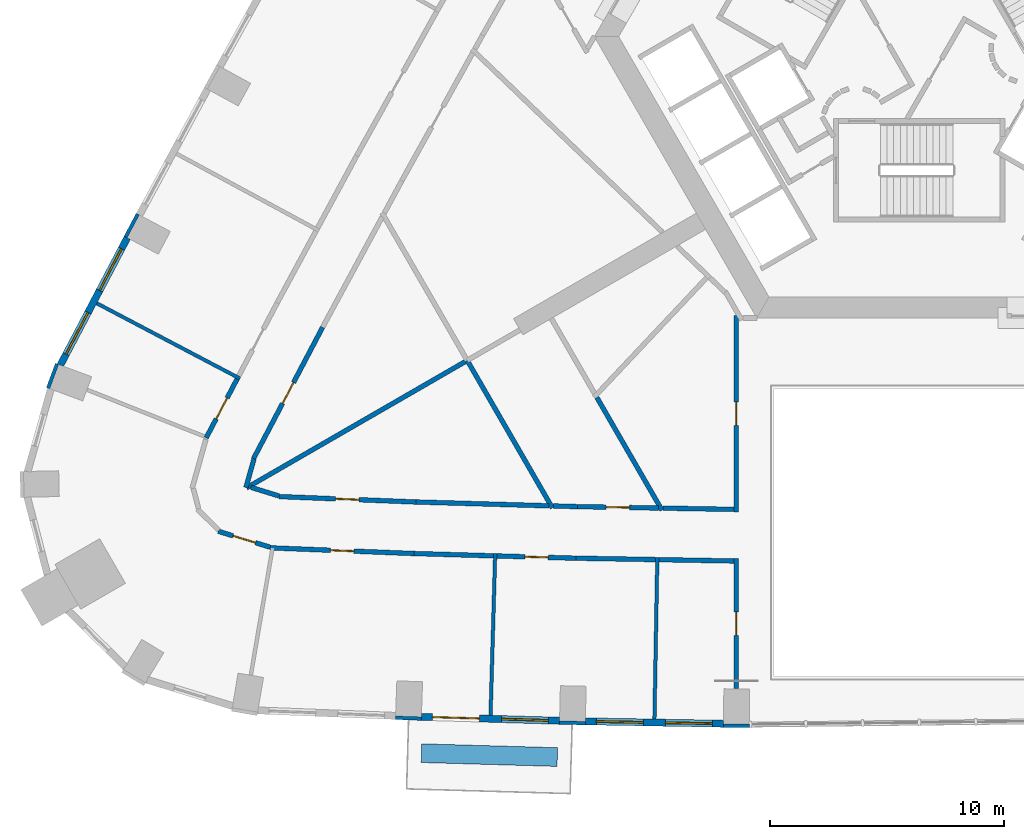
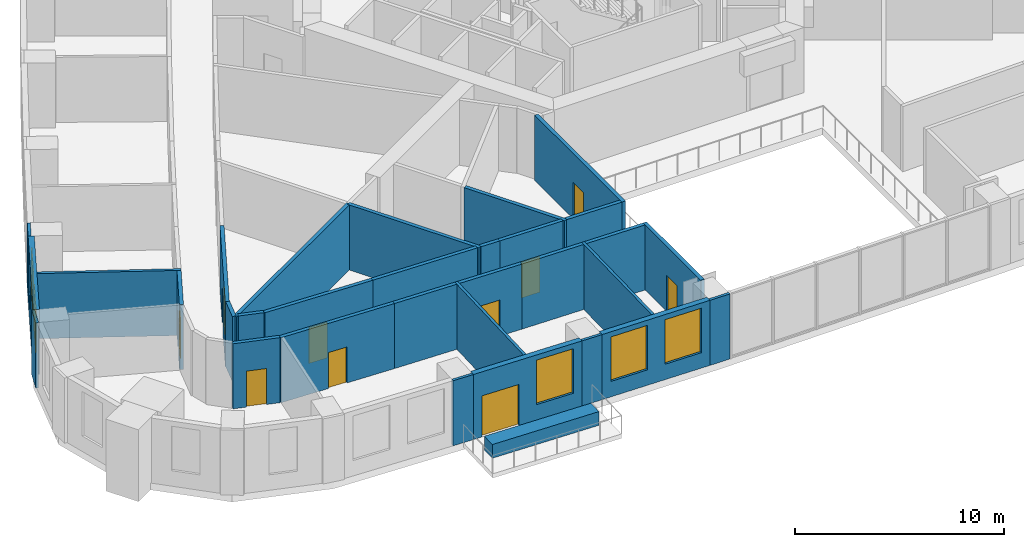
# One storey, part 4 of 14: 32 walls, 10 doors, 5 windows, 15 openings.
"""IFC4 building model written with IfcOpenShell, lengths in metres."""

from ifc_helpers import new_model, si_unit, direction, frame, frame_2d, origin, place, context, subcontext, project, spatial, rectangle, extrude, material, layer, layer_set, type_object, element, fill, save


model = new_model("IFC4")

# Units and contexts
model_context = context("Model", 3, precision=1e-05, world=origin(), true_north=direction((0.0, 1.0)))
body_context = subcontext(model_context, "Body", "Model", "MODEL_VIEW")
ifc_project = project(units=[si_unit("LENGTHUNIT", "METRE"), si_unit("AREAUNIT", "SQUARE_METRE"), si_unit("VOLUMEUNIT", "CUBIC_METRE"), si_unit("PLANEANGLEUNIT", "RADIAN"), si_unit("MASSUNIT", "GRAM", prefix="KILO")], contexts=[model_context])

# Site, building, storey
site_placement = place(None, origin())
site = spatial("IfcSite", under=ifc_project, at=site_placement, CompositionType="ELEMENT")
building_placement = place(site_placement, origin())
building = spatial("IfcBuilding", under=site, at=building_placement, Name="Entoto Arch Interchange Tower", CompositionType="ELEMENT")
storey_placement = place(building_placement, frame((0.0, 0.0, 103.39990234375)))
storey = spatial("IfcBuildingStorey", under=building, at=storey_placement, Name="L22", CompositionType="ELEMENT", Elevation=103.39990234375)

# Walls
ifc_material_1 = material(Name="Gypsum board partition on steel studs", Category="steel")
ifc_layer_1 = layer(ifc_material_1, 0.14990234375)
ifc_layer_set_1 = layer_set([ifc_layer_1], Name="Gypsum board partition on steel studs")
wall_type_1 = type_object("IfcWallType", Name="PARTITION 150", PredefinedType="PARTITIONING", material=ifc_layer_set_1)
wall_1_placement = place(storey_placement, frame((-28.968994140625, -12.083984375, 0.0), z_axis=(0.0, 0.0, 1.0), x_axis=(-0.885142220222, 0.465320588391, 0.0)))
element("IfcWall", 1, at=wall_1_placement, inside=storey, type_object=wall_type_1, Name="wall:L22:p151", PredefinedType="PARTITIONING", context=body_context, shape_type="SweptSolid", body=[
    extrude(rectangle(XDim=6.900390625, YDim=0.14990234375, at=frame_2d((3.4501953125, 0.0))), origin(), (0.0, 0.0, 1.0), 3.800048828125),
])
wall_2_placement = place(storey_placement, frame((-18.0849609375, -19.544921875, 0.0), z_axis=(0.0, 0.0, 1.0), x_axis=(-0.02869106823, -0.999588326564, 0.0)))
element("IfcWall", 2, at=wall_2_placement, inside=storey, type_object=wall_type_1, Name="wall:L22:p154", PredefinedType="PARTITIONING", context=body_context, shape_type="SweptSolid", body=[
    extrude(rectangle(XDim=6.901123046875, YDim=0.14990234375, at=frame_2d((3.45068359375, 0.0))), origin(), (0.0, 0.0, 1.0), 3.800048828125),
])
wall_3_placement = place(storey_placement, frame((-11.1708984375, -19.7060546875, 0.0), z_axis=(0.0, 0.0, 1.0), x_axis=(-0.017691335128, -0.999843496084, 0.0)))
element("IfcWall", 3, at=wall_3_placement, inside=storey, type_object=wall_type_1, Name="wall:L22:p155", PredefinedType="PARTITIONING", context=body_context, shape_type="SweptSolid", body=[
    extrude(rectangle(XDim=6.89990234375, YDim=0.14990234375, at=frame_2d((3.449951171875, 0.0))), origin(), (0.0, 0.0, 1.0), 3.800048828125),
])
ifc_layer_2 = layer(ifc_material_1, 0.199951171875)
ifc_layer_set_2 = layer_set([ifc_layer_2], Name="Gypsum board partition on steel studs")
wall_type_2 = type_object("IfcWallType", Name="PARTITION 200", PredefinedType="PARTITIONING", material=ifc_layer_set_2)
wall_4_placement = place(storey_placement, frame((-10.923095703125, -17.610107421875, 0.0), z_axis=(0.0, 0.0, 1.0), x_axis=(0.999846489632, -0.017521334753, 0.0)))
element("IfcWall", 4, at=wall_4_placement, inside=storey, type_object=wall_type_2, Name="wall:L22:p032", PredefinedType="PARTITIONING", context=body_context, shape_type="SweptSolid", body=[
    extrude(rectangle(XDim=3.023681640625, YDim=0.199951171875, at=frame_2d((1.51171875, 0.0))), origin(), (0.0, 0.0, 1.0), 3.800048828125),
])
wall_5_placement = place(storey_placement, frame((-15.595947265625, -17.51611328125, 0.0), z_axis=(0.0, 0.0, 1.0), x_axis=(0.99959813819, -0.028347171427, 0.0)))
element("IfcWall", 5, at=wall_5_placement, inside=storey, type_object=wall_type_2, Name="wall:L22:p035", PredefinedType="PARTITIONING", context=body_context, shape_type="SweptSolid", body=[
    extrude(rectangle(XDim=1.016357421875, YDim=0.199951171875, at=frame_2d((0.50830078125, 0.0))), origin(), (0.0, 0.0, 1.0), 3.800048828125),
])

# Wall, opening, door
wall_6_placement = place(storey_placement, frame((-14.580078125, -17.544921875, 0.0), z_axis=(0.0, 0.0, 1.0), x_axis=(0.999844180431, -0.01765261618, 0.0)))
wall_6 = element("IfcWall", 6, at=wall_6_placement, inside=storey, type_object=wall_type_2, Name="wall:L22:p036", PredefinedType="PARTITIONING", context=body_context, shape_type="SweptSolid", body=[
    extrude(rectangle(XDim=3.45751953125, YDim=0.199951171875, at=frame_2d((1.728759765625, 0.0))), origin(), (0.0, 0.0, 1.0), 3.800048828125),
])
opening_1_placement = place(wall_6_placement, frame((1.22900390625, 0.0, 0.0)))
opening_1 = element("IfcOpeningElement", 7, at=opening_1_placement, cuts=wall_6, Name="Opening L22-D29", PredefinedType="OPENING", context=body_context, shape_type="SweptSolid", body=[
    extrude(rectangle(XDim=1.0, YDim=2.10009765625, at=frame_2d((0.5, 1.050048828125))), frame((0.0, 0.10986328125, 0.0), z_axis=(0.0, -1.0, 0.0), x_axis=(1.0, 0.0, 0.0)), (0.0, 0.0, 1.0), 0.219970703125),
])
ifc_material_2 = material(Name="Timber door leaf in Steel S235 frame", Category="steel")
door_type_1 = type_object("IfcDoorType", Name="DOOR DS-10 1000x2100", OperationType="SINGLE_SWING_LEFT", PredefinedType="DOOR", material=ifc_material_2)
door_1_placement = place(opening_1_placement, origin())
door_1 = element("IfcDoor", 8, at=door_1_placement, inside=storey, type_object=door_type_1, Name="door:L22:29", OperationType="SINGLE_SWING_LEFT", OverallHeight=2.10009765625, OverallWidth=1.0, PredefinedType="DOOR", context=body_context, shape_type="SweptSolid", body=[
    extrude(rectangle(XDim=1.0, YDim=2.10009765625, at=frame_2d((0.5, 1.050048828125))), frame((0.0, 0.02490234375, 0.0), z_axis=(0.0, -1.0, 0.0), x_axis=(1.0, 0.0, 0.0)), (0.0, 0.0, 1.0), 0.050048828125),
])
fill(opening_1, door_1)

wall_7_placement = place(storey_placement, frame((-25.446044921875, -9.89599609375, 0.0), z_axis=(0.0, 0.0, 1.0), x_axis=(-0.465367816287, -0.885117390838, 0.0)))
wall_7 = element("IfcWall", 9, at=wall_7_placement, inside=storey, type_object=wall_type_2, Name="wall:L22:p038", PredefinedType="PARTITIONING", context=body_context, shape_type="SweptSolid", body=[
    extrude(rectangle(XDim=6.325927734375, YDim=0.199951171875, at=frame_2d((3.1630859375, 0.0))), origin(), (0.0, 0.0, 1.0), 3.800048828125),
])
opening_2_placement = place(wall_7_placement, frame((2.6630859375, 0.0, 0.0)))
opening_2 = element("IfcOpeningElement", 10, at=opening_2_placement, cuts=wall_7, Name="Opening L22-D30", PredefinedType="OPENING", context=body_context, shape_type="SweptSolid", body=[
    extrude(rectangle(XDim=1.0, YDim=2.10009765625, at=frame_2d((0.5, 1.050048828125))), frame((0.0, 0.10986328125, 0.0), z_axis=(0.0, -1.0, 0.0), x_axis=(1.0, 0.0, 0.0)), (0.0, 0.0, 1.0), 0.219970703125),
])
door_2_placement = place(opening_2_placement, origin())
door_2 = element("IfcDoor", 11, at=door_2_placement, inside=storey, type_object=door_type_1, Name="door:L22:30", OperationType="SINGLE_SWING_LEFT", OverallHeight=2.10009765625, OverallWidth=1.0, PredefinedType="DOOR", context=body_context, shape_type="SweptSolid", body=[
    extrude(rectangle(XDim=1.0, YDim=2.10009765625, at=frame_2d((0.5, 1.050048828125))), frame((0.0, 0.02490234375, 0.0), z_axis=(0.0, -1.0, 0.0), x_axis=(1.0, 0.0, 0.0)), (0.0, 0.0, 1.0), 0.050048828125),
])
fill(opening_2, door_2)

# Walls
wall_8_placement = place(storey_placement, frame((-28.3701171875, -15.5029296875, 0.0), z_axis=(0.0, 0.0, 1.0), x_axis=(-0.270645732093, -0.962679015924, 0.0)))
element("IfcWall", 12, at=wall_8_placement, inside=storey, type_object=wall_type_2, Name="wall:L22:p039", PredefinedType="PARTITIONING", context=body_context, shape_type="SweptSolid", body=[
    extrude(rectangle(XDim=1.274658203125, YDim=0.199951171875, at=frame_2d((0.63720703125, 0.0))), origin(), (0.0, 0.0, 1.0), 3.800048828125),
])
wall_9_placement = place(storey_placement, frame((-28.5029296875, -16.721923828125, 0.0), z_axis=(0.0, 0.0, 1.0), x_axis=(0.95579582576, -0.294031187904, 0.0)))
element("IfcWall", 13, at=wall_9_placement, inside=storey, type_object=wall_type_2, Name="wall:L22:p040", PredefinedType="PARTITIONING", context=body_context, shape_type="SweptSolid", body=[
    extrude(rectangle(XDim=1.25537109375, YDim=0.199951171875, at=frame_2d((0.627685546875, 0.0))), origin(), (0.0, 0.0, 1.0), 3.800048828125),
])

# Wall, opening, door
wall_10_placement = place(storey_placement, frame((-27.306884765625, -17.115966796875, 0.0), z_axis=(0.0, 0.0, 1.0), x_axis=(0.999217829656, -0.039544012168, 0.0)))
wall_10 = element("IfcWall", 14, at=wall_10_placement, inside=storey, type_object=wall_type_2, Name="wall:L22:p041", PredefinedType="PARTITIONING", context=body_context, shape_type="SweptSolid", body=[
    extrude(rectangle(XDim=5.840576171875, YDim=0.199951171875, at=frame_2d((2.92041015625, 0.0))), origin(), (0.0, 0.0, 1.0), 3.800048828125),
])
opening_3_placement = place(wall_10_placement, frame((2.419921875, 0.0, 0.0)))
opening_3 = element("IfcOpeningElement", 15, at=opening_3_placement, cuts=wall_10, Name="Opening L22-D31", PredefinedType="OPENING", context=body_context, shape_type="SweptSolid", body=[
    extrude(rectangle(XDim=1.0, YDim=2.10009765625, at=frame_2d((0.5, 1.050048828125))), frame((0.0, 0.10986328125, 0.0), z_axis=(0.0, -1.0, 0.0), x_axis=(1.0, 0.0, 0.0)), (0.0, 0.0, 1.0), 0.219970703125),
])
door_3_placement = place(opening_3_placement, origin())
door_3 = element("IfcDoor", 16, at=door_3_placement, inside=storey, type_object=door_type_1, Name="door:L22:31", OperationType="SINGLE_SWING_LEFT", OverallHeight=2.10009765625, OverallWidth=1.0, PredefinedType="DOOR", context=body_context, shape_type="SweptSolid", body=[
    extrude(rectangle(XDim=1.0, YDim=2.10009765625, at=frame_2d((0.5, 1.050048828125))), frame((0.0, 0.02490234375, 0.0), z_axis=(0.0, -1.0, 0.0), x_axis=(1.0, 0.0, 0.0)), (0.0, 0.0, 1.0), 0.050048828125),
])
fill(opening_3, door_3)

# Wall
wall_11_placement = place(storey_placement, frame((-21.470947265625, -17.346923828125, 0.0), z_axis=(0.0, 0.0, 1.0), x_axis=(0.999587337564, -0.028725504044, 0.0)))
element("IfcWall", 17, at=wall_11_placement, inside=storey, type_object=wall_type_2, Name="wall:L22:p042", PredefinedType="PARTITIONING", context=body_context, shape_type="SweptSolid", body=[
    extrude(rectangle(XDim=5.677490234375, YDim=0.199951171875, at=frame_2d((2.8388671875, 0.0))), origin(), (0.0, 0.0, 1.0), 3.800048828125),
])

# Wall, opening, door
wall_12_placement = place(storey_placement, frame((-30.409912109375, -14.610107421875, 0.0), z_axis=(0.0, 0.0, 1.0), x_axis=(0.46516343569, 0.885224817827, 0.0)))
wall_12 = element("IfcWall", 18, at=wall_12_placement, inside=storey, type_object=wall_type_2, Name="wall:L22:p074", PredefinedType="PARTITIONING", context=body_context, shape_type="SweptSolid", body=[
    extrude(rectangle(XDim=2.8310546875, YDim=0.199951171875, at=frame_2d((1.41552734375, 0.0))), origin(), (0.0, 0.0, 1.0), 3.800048828125),
])
opening_4_placement = place(wall_12_placement, frame((0.916015625, 0.0, 0.0)))
opening_4 = element("IfcOpeningElement", 19, at=opening_4_placement, cuts=wall_12, Name="Opening L22-D16", PredefinedType="OPENING", context=body_context, shape_type="SweptSolid", body=[
    extrude(rectangle(XDim=1.0, YDim=2.10009765625, at=frame_2d((0.5, 1.050048828125))), frame((0.0, 0.10986328125, 0.0), z_axis=(0.0, -1.0, 0.0), x_axis=(1.0, 0.0, 0.0)), (0.0, 0.0, 1.0), 0.219970703125),
])
door_4_placement = place(opening_4_placement, origin())
door_4 = element("IfcDoor", 20, at=door_4_placement, inside=storey, type_object=door_type_1, Name="door:L22:16", OperationType="SINGLE_SWING_LEFT", OverallHeight=2.10009765625, OverallWidth=1.0, PredefinedType="DOOR", context=body_context, shape_type="SweptSolid", body=[
    extrude(rectangle(XDim=1.0, YDim=2.10009765625, at=frame_2d((0.5, 1.050048828125))), frame((0.0, 0.02490234375, 0.0), z_axis=(0.0, -1.0, 0.0), x_axis=(1.0, 0.0, 0.0)), (0.0, 0.0, 1.0), 0.050048828125),
])
fill(opening_4, door_4)

wall_13_placement = place(storey_placement, frame((-27.676025390625, -19.278076171875, 0.0), z_axis=(0.0, 0.0, 1.0), x_axis=(-0.95581080774, 0.293982482143, 0.0)))
wall_13 = element("IfcWall", 21, at=wall_13_placement, inside=storey, type_object=wall_type_2, Name="wall:L22:p075", PredefinedType="PARTITIONING", context=body_context, shape_type="SweptSolid", body=[
    extrude(rectangle(XDim=2.32373046875, YDim=0.199951171875, at=frame_2d((1.161865234375, 0.0))), origin(), (0.0, 0.0, 1.0), 3.800048828125),
])
opening_5_placement = place(wall_13_placement, frame((0.662109375, 0.0, 0.0)))
opening_5 = element("IfcOpeningElement", 22, at=opening_5_placement, cuts=wall_13, Name="Opening L22-D17", PredefinedType="OPENING", context=body_context, shape_type="SweptSolid", body=[
    extrude(rectangle(XDim=1.0, YDim=2.10009765625, at=frame_2d((0.5, 1.050048828125))), frame((0.0, 0.10986328125, 0.0), z_axis=(0.0, -1.0, 0.0), x_axis=(1.0, 0.0, 0.0)), (0.0, 0.0, 1.0), 0.219970703125),
])
door_5_placement = place(opening_5_placement, origin())
door_5 = element("IfcDoor", 23, at=door_5_placement, inside=storey, type_object=door_type_1, Name="door:L22:17", OperationType="SINGLE_SWING_LEFT", OverallHeight=2.10009765625, OverallWidth=1.0, PredefinedType="DOOR", context=body_context, shape_type="SweptSolid", body=[
    extrude(rectangle(XDim=1.0, YDim=2.10009765625, at=frame_2d((0.5, 1.050048828125))), frame((0.0, 0.02490234375, 0.0), z_axis=(0.0, -1.0, 0.0), x_axis=(1.0, 0.0, 0.0)), (0.0, 0.0, 1.0), 0.050048828125),
])
fill(opening_5, door_5)

# Wall
wall_14_placement = place(storey_placement, frame((-18.1630859375, -19.64306640625, 0.0), z_axis=(0.0, 0.0, 1.0), x_axis=(-0.999588017684, 0.028701827504, 0.0)))
element("IfcWall", 24, at=wall_14_placement, inside=storey, type_object=wall_type_2, Name="wall:L22:p079", PredefinedType="PARTITIONING", context=body_context, shape_type="SweptSolid", body=[
    extrude(rectangle(XDim=3.385498046875, YDim=0.199951171875, at=frame_2d((1.69287109375, 0.0))), origin(), (0.0, 0.0, 1.0), 3.800048828125),
])

# Wall, opening, door
wall_15_placement = place(storey_placement, frame((-21.547119140625, -19.5458984375, 0.0), z_axis=(0.0, 0.0, 1.0), x_axis=(-0.999216450883, 0.039578836331, 0.0)))
wall_15 = element("IfcWall", 25, at=wall_15_placement, inside=storey, type_object=wall_type_2, Name="wall:L22:p080", PredefinedType="PARTITIONING", context=body_context, shape_type="SweptSolid", body=[
    extrude(rectangle(XDim=6.1376953125, YDim=0.199951171875, at=frame_2d((3.06884765625, 0.0))), origin(), (0.0, 0.0, 1.0), 3.800048828125),
])
opening_6_placement = place(wall_15_placement, frame((2.569091796875, 0.0, 0.0)))
opening_6 = element("IfcOpeningElement", 26, at=opening_6_placement, cuts=wall_15, Name="Opening L22-D18", PredefinedType="OPENING", context=body_context, shape_type="SweptSolid", body=[
    extrude(rectangle(XDim=1.0, YDim=2.10009765625, at=frame_2d((0.5, 1.050048828125))), frame((0.0, 0.10986328125, 0.0), z_axis=(0.0, -1.0, 0.0), x_axis=(1.0, 0.0, 0.0)), (0.0, 0.0, 1.0), 0.219970703125),
])
door_6_placement = place(opening_6_placement, origin())
door_6 = element("IfcDoor", 27, at=door_6_placement, inside=storey, type_object=door_type_1, Name="door:L22:18", OperationType="SINGLE_SWING_LEFT", OverallHeight=2.10009765625, OverallWidth=1.0, PredefinedType="DOOR", context=body_context, shape_type="SweptSolid", body=[
    extrude(rectangle(XDim=1.0, YDim=2.10009765625, at=frame_2d((0.5, 1.050048828125))), frame((0.0, 0.02490234375, 0.0), z_axis=(0.0, -1.0, 0.0), x_axis=(1.0, 0.0, 0.0)), (0.0, 0.0, 1.0), 0.050048828125),
])
fill(opening_6, door_6)

# Wall
wall_16_placement = place(storey_placement, frame((-11.248046875, -19.803955078125, 0.0), z_axis=(0.0, 0.0, 1.0), x_axis=(-0.999848794654, 0.017389302123, 0.0)))
element("IfcWall", 28, at=wall_16_placement, inside=storey, type_object=wall_type_2, Name="wall:L22:p081", PredefinedType="PARTITIONING", context=body_context, shape_type="SweptSolid", body=[
    extrude(rectangle(XDim=3.383544921875, YDim=0.199951171875, at=frame_2d((1.69189453125, 0.0))), origin(), (0.0, 0.0, 1.0), 3.800048828125),
])

# Wall, opening, door
wall_17_placement = place(storey_placement, frame((-14.631103515625, -19.7451171875, 0.0), z_axis=(0.0, 0.0, 1.0), x_axis=(-0.999587482491, 0.028720460441, 0.0)))
wall_17 = element("IfcWall", 29, at=wall_17_placement, inside=storey, type_object=wall_type_2, Name="wall:L22:p082", PredefinedType="PARTITIONING", context=body_context, shape_type="SweptSolid", body=[
    extrude(rectangle(XDim=3.38330078125, YDim=0.199951171875, at=frame_2d((1.691650390625, 0.0))), origin(), (0.0, 0.0, 1.0), 3.800048828125),
])
opening_7_placement = place(wall_17_placement, frame((1.19189453125, 0.0, 0.0)))
opening_7 = element("IfcOpeningElement", 30, at=opening_7_placement, cuts=wall_17, Name="Opening L22-D19", PredefinedType="OPENING", context=body_context, shape_type="SweptSolid", body=[
    extrude(rectangle(XDim=1.0, YDim=2.10009765625, at=frame_2d((0.5, 1.050048828125))), frame((0.0, 0.10986328125, 0.0), z_axis=(0.0, -1.0, 0.0), x_axis=(1.0, 0.0, 0.0)), (0.0, 0.0, 1.0), 0.219970703125),
])
door_7_placement = place(opening_7_placement, origin())
door_7 = element("IfcDoor", 31, at=door_7_placement, inside=storey, type_object=door_type_1, Name="door:L22:19", OperationType="SINGLE_SWING_RIGHT", OverallHeight=2.10009765625, OverallWidth=1.0, PredefinedType="DOOR", context=body_context, shape_type="SweptSolid", body=[
    extrude(rectangle(XDim=1.0, YDim=2.10009765625, at=frame_2d((0.5, 1.050048828125))), frame((0.0, 0.02490234375, 0.0), z_axis=(0.0, -1.0, 0.0), x_axis=(1.0, 0.0, 0.0)), (0.0, 0.0, 1.0), 0.050048828125),
])
fill(opening_7, door_7)

# Wall
wall_18_placement = place(storey_placement, frame((-7.89990234375, -19.863037109375, 0.0), z_axis=(0.0, 0.0, 1.0), x_axis=(-0.999845883554, 0.017555886191, 0.0)))
element("IfcWall", 32, at=wall_18_placement, inside=storey, type_object=wall_type_2, Name="wall:L22:p083", PredefinedType="PARTITIONING", context=body_context, shape_type="SweptSolid", body=[
    extrude(rectangle(XDim=3.198486328125, YDim=0.199951171875, at=frame_2d((1.59912109375, 0.0))), origin(), (0.0, 0.0, 1.0), 3.800048828125),
])

# Wall, opening, door
wall_19_placement = place(storey_placement, frame((-7.800048828125, -17.764892578125, 0.0), z_axis=(0.0, 0.0, 1.0), x_axis=(0.0, 1.0, 0.0)))
wall_19 = element("IfcWall", 33, at=wall_19_placement, inside=storey, type_object=wall_type_2, Name="wall:L22:p117", PredefinedType="PARTITIONING", context=body_context, shape_type="SweptSolid", body=[
    extrude(rectangle(XDim=8.365966796875, YDim=0.199951171875, at=frame_2d((4.18310546875, 0.0))), origin(), (0.0, 0.0, 1.0), 3.800048828125),
])
opening_8_placement = place(wall_19_placement, frame((3.68310546875, 0.0, 0.0)))
opening_8 = element("IfcOpeningElement", 34, at=opening_8_placement, cuts=wall_19, Name="Opening L22-D27", PredefinedType="OPENING", context=body_context, shape_type="SweptSolid", body=[
    extrude(rectangle(XDim=1.0, YDim=2.10009765625, at=frame_2d((0.5, 1.050048828125))), frame((0.0, 0.10986328125, 0.0), z_axis=(0.0, -1.0, 0.0), x_axis=(1.0, 0.0, 0.0)), (0.0, 0.0, 1.0), 0.219970703125),
])
door_8_placement = place(opening_8_placement, origin())
door_8 = element("IfcDoor", 35, at=door_8_placement, inside=storey, type_object=door_type_1, Name="door:L22:27", OperationType="SINGLE_SWING_RIGHT", OverallHeight=2.10009765625, OverallWidth=1.0, PredefinedType="DOOR", context=body_context, shape_type="SweptSolid", body=[
    extrude(rectangle(XDim=1.0, YDim=2.10009765625, at=frame_2d((0.5, 1.050048828125))), frame((0.0, 0.02490234375, 0.0), z_axis=(0.0, -1.0, 0.0), x_axis=(1.0, 0.0, 0.0)), (0.0, 0.0, 1.0), 0.050048828125),
])
fill(opening_8, door_8)

wall_20_placement = place(storey_placement, frame((-7.800048828125, -25.2958984375, 0.0), z_axis=(0.0, 0.0, 1.0), x_axis=(0.0, 1.0, 0.0)))
wall_20 = element("IfcWall", 36, at=wall_20_placement, inside=storey, type_object=wall_type_2, Name="wall:L22:p119", PredefinedType="PARTITIONING", context=body_context, shape_type="SweptSolid", body=[
    extrude(rectangle(XDim=5.531005859375, YDim=0.199951171875, at=frame_2d((2.765625, 0.0))), origin(), (0.0, 0.0, 1.0), 3.800048828125),
])
opening_9_placement = place(wall_20_placement, frame((2.264892578125, 0.0, 0.0)))
opening_9 = element("IfcOpeningElement", 37, at=opening_9_placement, cuts=wall_20, Name="Opening L22-D20", PredefinedType="OPENING", context=body_context, shape_type="SweptSolid", body=[
    extrude(rectangle(XDim=1.0, YDim=2.10009765625, at=frame_2d((0.5, 1.050048828125))), frame((0.0, 0.10986328125, 0.0), z_axis=(0.0, -1.0, 0.0), x_axis=(1.0, 0.0, 0.0)), (0.0, 0.0, 1.0), 0.219970703125),
])
door_9_placement = place(opening_9_placement, origin())
door_9 = element("IfcDoor", 38, at=door_9_placement, inside=storey, type_object=door_type_1, Name="door:L22:20", OperationType="SINGLE_SWING_LEFT", OverallHeight=2.10009765625, OverallWidth=1.0, PredefinedType="DOOR", context=body_context, shape_type="SweptSolid", body=[
    extrude(rectangle(XDim=1.0, YDim=2.10009765625, at=frame_2d((0.5, 1.050048828125))), frame((0.0, 0.02490234375, 0.0), z_axis=(0.0, -1.0, 0.0), x_axis=(1.0, 0.0, 0.0)), (0.0, 0.0, 1.0), 0.050048828125),
])
fill(opening_9, door_9)

# Walls
wall_21_placement = place(storey_placement, frame((-10.972900390625, -17.695068359375, 0.0), z_axis=(0.0, 0.0, 1.0), x_axis=(-0.499986535608, 0.866033177315, 0.0)))
element("IfcWall", 39, at=wall_21_placement, inside=storey, type_object=wall_type_2, Name="wall:L22:p131", PredefinedType="PARTITIONING", context=body_context, shape_type="SweptSolid", body=[
    extrude(rectangle(XDim=5.548583984375, YDim=0.199951171875, at=frame_2d((2.7744140625, 0.0))), origin(), (0.0, 0.0, 1.0), 3.800048828125),
])
wall_22_placement = place(storey_placement, frame((-15.64599609375, -17.60009765625, 0.0), z_axis=(0.0, 0.0, 1.0), x_axis=(-0.499953299825, 0.866052364464, 0.0)))
element("IfcWall", 40, at=wall_22_placement, inside=storey, type_object=wall_type_2, Name="wall:L22:p135", PredefinedType="PARTITIONING", context=body_context, shape_type="SweptSolid", body=[
    extrude(rectangle(XDim=7.262939453125, YDim=0.199951171875, at=frame_2d((3.63134765625, 0.0))), origin(), (0.0, 0.0, 1.0), 3.800048828125),
])
wall_23_placement = place(storey_placement, frame((-19.277099609375, -11.31103515625, 0.0), z_axis=(0.0, 0.0, 1.0), x_axis=(-0.866078939042, -0.499907262747, 0.0)))
element("IfcWall", 41, at=wall_23_placement, inside=storey, type_object=wall_type_2, Name="wall:L22:p136", PredefinedType="PARTITIONING", context=body_context, shape_type="SweptSolid", body=[
    extrude(rectangle(XDim=10.86376953125, YDim=0.199951171875, at=frame_2d((5.431884765625, 0.0))), origin(), (0.0, 0.0, 1.0), 3.800048828125),
])
ifc_material_3 = material(Name="Board-marked precast concrete C50/60", Category="concrete")
ifc_layer_3 = layer(ifc_material_3, 0.800048828125)
ifc_layer_set_3 = layer_set([ifc_layer_3], Name="Board-marked precast concrete C50/60")
wall_type_3 = type_object("IfcWallType", Name="PLANTER RC 800 Afrocarpus falcatus", PredefinedType="STANDARD", material=ifc_layer_set_3)
wall_24_placement = place(storey_placement, frame((-21.22900390625, -28.05908203125, 0.0), z_axis=(0.0, 0.0, 1.0), x_axis=(0.999589746939, -0.028641540027, 0.0)))
element("IfcWall", 42, at=wall_24_placement, inside=storey, type_object=wall_type_3, Name="Planter S-02 L22", PredefinedType="STANDARD", context=body_context, shape_type="SweptSolid", body=[
    extrude(rectangle(XDim=5.79638671875, YDim=0.800048828125, at=frame_2d((2.898193359375, 0.0))), origin(), (0.0, 0.0, 1.0), 0.800048828125),
])

# Wall, openings, door, window
ifc_material_4 = material(Name="Welded tuff (ignimbrite) cladding, warm buff", Category="masonry")
ifc_layer_4 = layer(ifc_material_4, 0.300048828125)
ifc_layer_set_4 = layer_set([ifc_layer_4], Name="Welded tuff (ignimbrite) cladding, warm buff")
wall_type_4 = type_object("IfcWallType", Name="STONE INFILL WALL 300", PredefinedType="STANDARD", material=ifc_layer_set_4)
wall_25_placement = place(storey_placement, frame((-21.235107421875, -26.508056640625, 0.0), z_axis=(0.0, 0.0, 1.0), x_axis=(0.999589583914, -0.028647229026, 0.0)))
wall_25 = element("IfcWall", 43, at=wall_25_placement, inside=storey, type_object=wall_type_4, Name="Facade wall S-02 L22", PredefinedType="STANDARD", context=body_context, shape_type="SweptSolid", body=[
    extrude(rectangle(XDim=5.8974609375, YDim=0.300048828125, at=frame_2d((2.94873046875, 0.0))), origin(), (0.0, 0.0, 1.0), 3.800048828125),
])
opening_10_placement = place(wall_25_placement, frame((0.47412109375, 0.0, 0.0)))
opening_10 = element("IfcOpeningElement", 44, at=opening_10_placement, cuts=wall_25, Name="Opening DB-S-02-L22", PredefinedType="OPENING", context=body_context, shape_type="SweptSolid", body=[
    extrude(rectangle(XDim=2.0, YDim=2.39990234375, at=frame_2d((1.0, 1.199951171875))), frame((0.0, 0.16015625, 0.0), z_axis=(0.0, -1.0, 0.0), x_axis=(1.0, 0.0, 0.0)), (0.0, 0.0, 1.0), 0.320068359375),
])
opening_11_placement = place(wall_25_placement, frame((3.423095703125, 0.0, 0.89990234375)))
opening_11 = element("IfcOpeningElement", 45, at=opening_11_placement, cuts=wall_25, Name="Opening WO-C", PredefinedType="OPENING", context=body_context, shape_type="SweptSolid", body=[
    extrude(rectangle(XDim=2.0, YDim=2.60009765625, at=frame_2d((1.0, 1.300048828125))), frame((0.0, 0.16015625, 0.0), z_axis=(0.0, -1.0, 0.0), x_axis=(1.0, 0.0, 0.0)), (0.0, 0.0, 1.0), 0.320068359375),
])
ifc_material_5 = material(Name="Aluminium and clear glass, anodised", Category="aluminium")
door_type_2 = type_object("IfcDoorType", Name="BALCONY DOOR DB 2000x2400", OperationType="SLIDING_TO_LEFT", PredefinedType="DOOR", material=ifc_material_5)
door_10_placement = place(opening_10_placement, origin())
door_10 = element("IfcDoor", 46, at=door_10_placement, inside=storey, type_object=door_type_2, Name="Balcony door S-02 L22", OperationType="SLIDING_TO_LEFT", OverallHeight=2.39990234375, OverallWidth=2.0, PredefinedType="DOOR", context=body_context, shape_type="SweptSolid", body=[
    extrude(rectangle(XDim=2.0, YDim=2.39990234375, at=frame_2d((1.0, 1.199951171875))), frame((0.0, 0.02490234375, 0.0), z_axis=(0.0, -1.0, 0.0), x_axis=(1.0, 0.0, 0.0)), (0.0, 0.0, 1.0), 0.050048828125),
])
fill(opening_10, door_10)
ifc_material_6 = material(Name="Clear glass, low-e double glazed", Category="glass")
window_type = type_object("IfcWindowType", Name="WINDOW WO-C 2000x2600", PartitioningType="DOUBLE_PANEL_VERTICAL", PredefinedType="WINDOW", material=ifc_material_6)
window_1_placement = place(opening_11_placement, origin())
window_1 = element("IfcWindow", 47, at=window_1_placement, inside=storey, type_object=window_type, Name="Window WO-C S-02 L22", OverallHeight=2.60009765625, OverallWidth=2.0, PartitioningType="SINGLE_PANEL", PredefinedType="WINDOW", context=body_context, shape_type="SweptSolid", body=[
    extrude(rectangle(XDim=2.0, YDim=2.60009765625, at=frame_2d((1.0, 1.300048828125))), frame((0.0, 0.030029296875, 0.0), z_axis=(0.0, -1.0, 0.0), x_axis=(1.0, 0.0, 0.0)), (0.0, 0.0, 1.0), 0.06005859375),
])
fill(opening_11, window_1)

# Wall, openings, windows
wall_26_placement = place(storey_placement, frame((-14.241943359375, -26.702880859375, 0.0), z_axis=(0.0, 0.0, 1.0), x_axis=(0.999847261365, -0.017477240672, 0.0)))
wall_26 = element("IfcWall", 48, at=wall_26_placement, inside=storey, type_object=wall_type_4, Name="Facade wall S-03 L22", PredefinedType="STANDARD", context=body_context, shape_type="SweptSolid", body=[
    extrude(rectangle(XDim=5.89501953125, YDim=0.300048828125, at=frame_2d((2.947509765625, 0.0))), origin(), (0.0, 0.0, 1.0), 3.800048828125),
])
opening_12_placement = place(wall_26_placement, frame((0.47412109375, 0.0, 0.89990234375)))
opening_12 = element("IfcOpeningElement", 49, at=opening_12_placement, cuts=wall_26, Name="Opening WO-C", PredefinedType="OPENING", context=body_context, shape_type="SweptSolid", body=[
    extrude(rectangle(XDim=2.0, YDim=2.60009765625, at=frame_2d((1.0, 1.300048828125))), frame((0.0, 0.16015625, 0.0), z_axis=(0.0, -1.0, 0.0), x_axis=(1.0, 0.0, 0.0)), (0.0, 0.0, 1.0), 0.320068359375),
])
opening_13_placement = place(wall_26_placement, frame((3.4208984375, 0.0, 0.89990234375)))
opening_13 = element("IfcOpeningElement", 50, at=opening_13_placement, cuts=wall_26, Name="Opening WO-C", PredefinedType="OPENING", context=body_context, shape_type="SweptSolid", body=[
    extrude(rectangle(XDim=2.0, YDim=2.60009765625, at=frame_2d((1.0, 1.300048828125))), frame((0.0, 0.16015625, 0.0), z_axis=(0.0, -1.0, 0.0), x_axis=(1.0, 0.0, 0.0)), (0.0, 0.0, 1.0), 0.320068359375),
])
window_2_placement = place(opening_12_placement, origin())
window_2 = element("IfcWindow", 51, at=window_2_placement, inside=storey, type_object=window_type, Name="Window WO-C S-03 L22", OverallHeight=2.60009765625, OverallWidth=2.0, PartitioningType="SINGLE_PANEL", PredefinedType="WINDOW", context=body_context, shape_type="SweptSolid", body=[
    extrude(rectangle(XDim=2.0, YDim=2.60009765625, at=frame_2d((1.0, 1.300048828125))), frame((0.0, 0.030029296875, 0.0), z_axis=(0.0, -1.0, 0.0), x_axis=(1.0, 0.0, 0.0)), (0.0, 0.0, 1.0), 0.06005859375),
])
fill(opening_12, window_2)
window_3_placement = place(opening_13_placement, origin())
window_3 = element("IfcWindow", 52, at=window_3_placement, inside=storey, type_object=window_type, Name="Window WO-C S-03 L22", OverallHeight=2.60009765625, OverallWidth=2.0, PartitioningType="SINGLE_PANEL", PredefinedType="WINDOW", context=body_context, shape_type="SweptSolid", body=[
    extrude(rectangle(XDim=2.0, YDim=2.60009765625, at=frame_2d((1.0, 1.300048828125))), frame((0.0, 0.030029296875, 0.0), z_axis=(0.0, -1.0, 0.0), x_axis=(1.0, 0.0, 0.0)), (0.0, 0.0, 1.0), 0.06005859375),
])
fill(opening_13, window_3)

wall_27_placement = place(storey_placement, frame((-33.77587890625, -6.076904296875, 0.0), z_axis=(0.0, 0.0, 1.0), x_axis=(-0.465380908665, -0.88511050714, 0.0)))
wall_27 = element("IfcWall", 53, at=wall_27_placement, inside=storey, type_object=wall_type_4, Name="Facade wall NW-08 L22", PredefinedType="STANDARD", context=body_context, shape_type="SweptSolid", body=[
    extrude(rectangle(XDim=6.139404296875, YDim=0.300048828125, at=frame_2d((3.06982421875, 0.0))), origin(), (0.0, 0.0, 1.0), 3.800048828125),
])
opening_14_placement = place(wall_27_placement, frame((0.534912109375, 0.0, 0.89990234375)))
opening_14 = element("IfcOpeningElement", 54, at=opening_14_placement, cuts=wall_27, Name="Opening WO-C", PredefinedType="OPENING", context=body_context, shape_type="SweptSolid", body=[
    extrude(rectangle(XDim=2.0, YDim=2.60009765625, at=frame_2d((1.0, 1.300048828125))), frame((0.0, 0.16015625, 0.0), z_axis=(0.0, -1.0, 0.0), x_axis=(1.0, 0.0, 0.0)), (0.0, 0.0, 1.0), 0.320068359375),
])
opening_15_placement = place(wall_27_placement, frame((3.60400390625, 0.0, 0.89990234375)))
opening_15 = element("IfcOpeningElement", 55, at=opening_15_placement, cuts=wall_27, Name="Opening WO-C", PredefinedType="OPENING", context=body_context, shape_type="SweptSolid", body=[
    extrude(rectangle(XDim=2.0, YDim=2.60009765625, at=frame_2d((1.0, 1.300048828125))), frame((0.0, 0.16015625, 0.0), z_axis=(0.0, -1.0, 0.0), x_axis=(1.0, 0.0, 0.0)), (0.0, 0.0, 1.0), 0.320068359375),
])
window_4_placement = place(opening_14_placement, origin())
window_4 = element("IfcWindow", 56, at=window_4_placement, inside=storey, type_object=window_type, Name="Window WO-C NW-08 L22", OverallHeight=2.60009765625, OverallWidth=2.0, PartitioningType="SINGLE_PANEL", PredefinedType="WINDOW", context=body_context, shape_type="SweptSolid", body=[
    extrude(rectangle(XDim=2.0, YDim=2.60009765625, at=frame_2d((1.0, 1.300048828125))), frame((0.0, 0.030029296875, 0.0), z_axis=(0.0, -1.0, 0.0), x_axis=(1.0, 0.0, 0.0)), (0.0, 0.0, 1.0), 0.06005859375),
])
fill(opening_14, window_4)
window_5_placement = place(opening_15_placement, origin())
window_5 = element("IfcWindow", 57, at=window_5_placement, inside=storey, type_object=window_type, Name="Window WO-C NW-08 L22", OverallHeight=2.60009765625, OverallWidth=2.0, PartitioningType="SINGLE_PANEL", PredefinedType="WINDOW", context=body_context, shape_type="SweptSolid", body=[
    extrude(rectangle(XDim=2.0, YDim=2.60009765625, at=frame_2d((1.0, 1.300048828125))), frame((0.0, 0.030029296875, 0.0), z_axis=(0.0, -1.0, 0.0), x_axis=(1.0, 0.0, 0.0)), (0.0, 0.0, 1.0), 0.06005859375),
])
fill(opening_15, window_5)

# Walls
ifc_layer_5 = layer(ifc_material_4, 0.14990234375)
ifc_layer_set_5 = layer_set([ifc_layer_5], Name="Welded tuff (ignimbrite) cladding, warm buff")
wall_type_5 = type_object("IfcWallType", Name="STONE PIER CLADDING 150", PredefinedType="STANDARD", material=ifc_layer_set_5)
wall_28_placement = place(storey_placement, frame((-33.3291015625, -5.071044921875, 0.0), z_axis=(0.0, 0.0, 1.0), x_axis=(-0.46919310775, -0.883095593716, 0.0)))
element("IfcWall", 58, at=wall_28_placement, inside=storey, type_object=wall_type_5, Name="Stone pier NW08 L22", PredefinedType="STANDARD", context=body_context, shape_type="SweptSolid", body=[
    extrude(rectangle(XDim=1.099365234375, YDim=0.14990234375, at=frame_2d((0.5498046875, 0.0))), origin(), (0.0, 0.0, 1.0), 3.800048828125),
])
wall_29_placement = place(storey_placement, frame((-36.77099609375, -11.4580078125, 0.0), z_axis=(0.0, 0.0, 1.0), x_axis=(-0.347205967468, -0.937788897436, 0.0)))
element("IfcWall", 59, at=wall_29_placement, inside=storey, type_object=wall_type_5, Name="Stone pier NW09 L22", PredefinedType="STANDARD", context=body_context, shape_type="SweptSolid", body=[
    extrude(rectangle(XDim=1.100341796875, YDim=0.14990234375, at=frame_2d((0.55029296875, 0.0))), origin(), (0.0, 0.0, 1.0), 3.800048828125),
])
wall_30_placement = place(storey_placement, frame((-22.3359375, -26.548095703125, 0.0), z_axis=(0.0, 0.0, 1.0), x_axis=(0.999376638472, -0.035303462679, 0.0)))
element("IfcWall", 60, at=wall_30_placement, inside=storey, type_object=wall_type_5, Name="Stone pier S02 L22", PredefinedType="STANDARD", context=body_context, shape_type="SweptSolid", body=[
    extrude(rectangle(XDim=1.099609375, YDim=0.14990234375, at=frame_2d((0.5498046875, 0.0))), origin(), (0.0, 0.0, 1.0), 3.800048828125),
])
wall_31_placement = place(storey_placement, frame((-15.343017578125, -26.7548828125, 0.0), z_axis=(0.0, 0.0, 1.0), x_axis=(0.999718180159, -0.023739424163, 0.0)))
element("IfcWall", 61, at=wall_31_placement, inside=storey, type_object=wall_type_5, Name="Stone pier S03 L22", PredefinedType="STANDARD", context=body_context, shape_type="SweptSolid", body=[
    extrude(rectangle(XDim=1.100341796875, YDim=0.14990234375, at=frame_2d((0.55029296875, 0.0))), origin(), (0.0, 0.0, 1.0), 3.800048828125),
])
wall_32_placement = place(storey_placement, frame((-8.34912109375, -26.885986328125, 0.0), z_axis=(0.0, 0.0, 1.0), x_axis=(0.99995860686, -0.009098602504, 0.0)))
element("IfcWall", 62, at=wall_32_placement, inside=storey, type_object=wall_type_5, Name="Stone pier S04 L22", PredefinedType="STANDARD", context=body_context, shape_type="SweptSolid", body=[
    extrude(rectangle(XDim=1.10009765625, YDim=0.14990234375, at=frame_2d((0.550048828125, 0.0))), origin(), (0.0, 0.0, 1.0), 3.800048828125),
])

save(model, "model.ifc")
